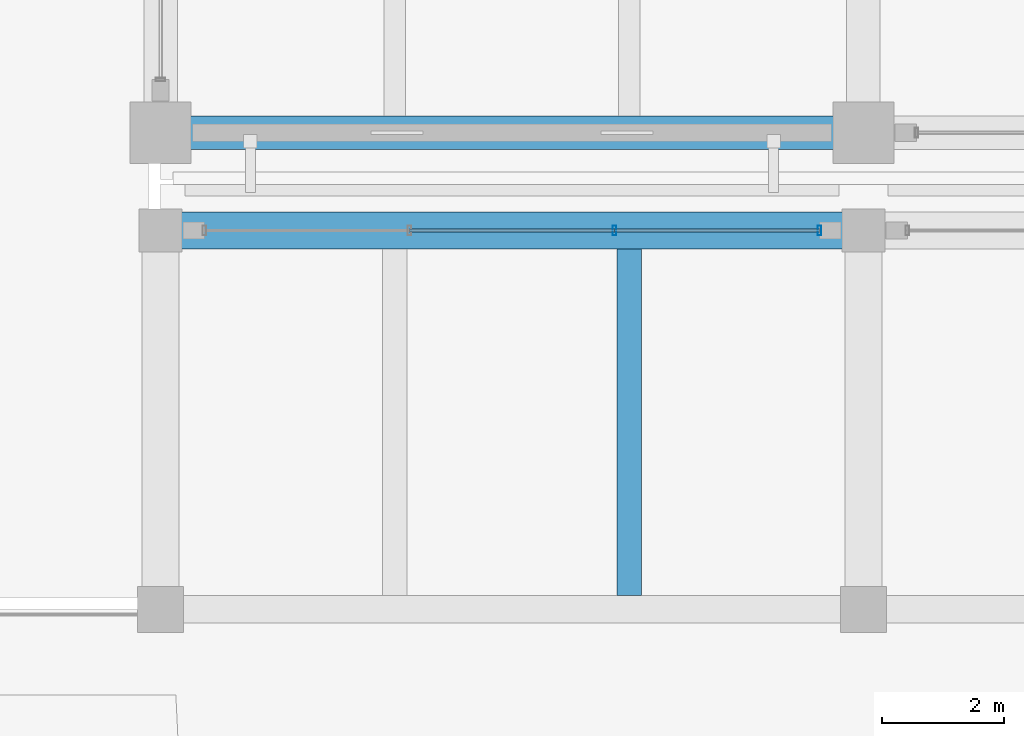
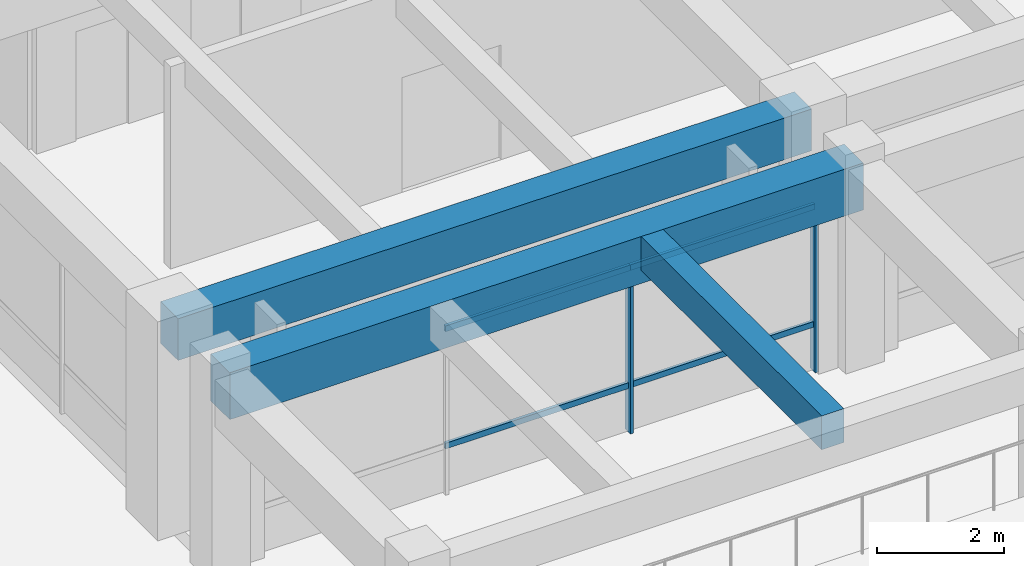
# One storey, part 41 of 109: 6 members, 3 beams, 1 element without a shape of its own.
"""IFC4 building model written with IfcOpenShell, lengths in metres."""

import ifcopenshell
import ifcopenshell.guid

model = None  # the IFC model being written
_history = None  # IfcOwnerHistory: only IFC2X3 demands one
_inside = {}  # id of a spatial element -> (the spatial element, [elements in it])
_under = {}  # id of a project, library or spatial element -> (it, [spatial elements below it])
_declared = {}  # id of a project -> (the project, [libraries it declares])
_typed = {}  # id of a type object -> (the type object, [elements of that type])
_made_of = {}  # id of a material, layer set ... -> (it, [elements and type objects made of it])


def new_model(schema):
    """Start an empty IFC model of exactly this schema.

    Asked for "IFC4X3", IfcOpenShell would pick the latest addendum, in which some entities
    have other attributes; the version numbers below select the first issue.
    IFC2X3 requires an IfcOwnerHistory on every rooted entity: one is made here for all.
    """
    global model, _history
    if schema == "IFC4X3":
        model = ifcopenshell.file(schema_version=(4, 3, 0, 0))
    else:
        model = ifcopenshell.file(schema=schema)
    _inside.clear()
    _under.clear()
    _declared.clear()
    _typed.clear()
    _made_of.clear()
    _history = None
    if model.schema == "IFC2X3":
        org = make("IfcOrganization", Name="unknown")
        user = make(
            "IfcPersonAndOrganization",
            ThePerson=make("IfcPerson", FamilyName="unknown"),
            TheOrganization=org,
        )
        app = make(
            "IfcApplication",
            ApplicationDeveloper=org,
            Version="unknown",
            ApplicationFullName="unknown",
            ApplicationIdentifier="unknown",
        )
        _history = make(
            "IfcOwnerHistory",
            OwningUser=user,
            OwningApplication=app,
            ChangeAction="ADDED",
            CreationDate=0,
        )
    return model


def make(cls, **values):
    """One entity of the class cls with the attributes given. An attribute that is None is left unset."""
    return model.create_entity(
        cls, **{name: value for name, value in values.items() if value is not None}
    )


def rooted(cls, **values):
    """An entity with a GlobalId (a new one), such as an element, a storey or a relation."""
    return make(cls, GlobalId=ifcopenshell.guid.new(), OwnerHistory=_history, **values)


def si_unit(unit_type, name, prefix=None):
    """IfcSIUnit, for example si_unit("LENGTHUNIT", "METRE", prefix="MILLI")."""
    return make("IfcSIUnit", UnitType=unit_type, Prefix=prefix, Name=name)


def assignment(units):
    """IfcUnitAssignment: the units of a project."""
    return None if units is None else make("IfcUnitAssignment", Units=units)


def point(xyz):
    """IfcCartesianPoint."""
    return None if xyz is None else make("IfcCartesianPoint", Coordinates=xyz)


def direction(xyz):
    """IfcDirection."""
    return None if xyz is None else make("IfcDirection", DirectionRatios=xyz)


def frame(location, z_axis=None, x_axis=None):
    """IfcAxis2Placement3D, a coordinate frame: its origin and axes. An axis left out is left unset."""
    return make(
        "IfcAxis2Placement3D",
        Location=point(location),
        Axis=direction(z_axis),
        RefDirection=direction(x_axis),
    )


def frame_2d(location, x_axis=None):
    """IfcAxis2Placement2D, a coordinate frame in the plane: its origin and x axis."""
    return make(
        "IfcAxis2Placement2D", Location=point(location), RefDirection=direction(x_axis)
    )


def origin():
    """The frame at (0, 0, 0) with its axes left unset."""
    return frame((0.0, 0.0, 0.0))


def origin_2d():
    """The frame at (0, 0) in the plane with its x axis left unset."""
    return frame_2d((0.0, 0.0))


def place(relative_to, where):
    """IfcLocalPlacement: puts the frame where relative to a parent placement (None: the world)."""
    return make(
        "IfcLocalPlacement", PlacementRelTo=relative_to, RelativePlacement=where
    )


def context(
    kind, dimensions, precision=None, world=None, true_north=None, identifier=None
):
    """IfcGeometricRepresentationContext, for example the 3D "Model" context."""
    return make(
        "IfcGeometricRepresentationContext",
        ContextIdentifier=identifier,
        ContextType=kind,
        CoordinateSpaceDimension=dimensions,
        Precision=precision,
        WorldCoordinateSystem=world,
        TrueNorth=true_north,
    )


def subcontext(parent, identifier, kind, view, scale=None):
    """IfcGeometricRepresentationSubContext, for example "Body" below "Model"."""
    return make(
        "IfcGeometricRepresentationSubContext",
        ContextIdentifier=identifier,
        ContextType=kind,
        ParentContext=parent,
        TargetScale=scale,
        TargetView=view,
    )


def project(units=None, contexts=None):
    """IfcProject with its units and contexts."""
    return rooted(
        "IfcProject",
        Name="project",
        RepresentationContexts=contexts,
        UnitsInContext=assignment(units),
    )


def spatial(cls, under=None, at=None, **own):
    """A site, building, storey or space (cls), placed at a placement, below another one or the project."""
    s = rooted(cls, ObjectPlacement=at, **own)
    if under is not None:
        _under.setdefault(under.id(), (under, []))[1].append(s)
    return s


def profile(cls, at=None, kind="AREA", **sizes):
    """A parametric profile (cls). Its sizes go by their IFC names, for example OverallWidth=200.0."""
    return make(cls, ProfileType=kind, Position=at, **sizes)


def rectangle(**sizes):
    """IfcRectangleProfileDef."""
    return profile("IfcRectangleProfileDef", **sizes)


def hollow_rectangle(**sizes):
    """IfcRectangleHollowProfileDef."""
    return profile("IfcRectangleHollowProfileDef", **sizes)


def extrude(swept, where, along, depth):
    """IfcExtrudedAreaSolid: the profile swept, set in the frame where, extruded along a direction by depth."""
    return make(
        "IfcExtrudedAreaSolid",
        SweptArea=swept,
        Position=where,
        ExtrudedDirection=direction(along),
        Depth=depth,
    )


def shape(context_of_items, identifier, shape_type, items):
    """IfcShapeRepresentation: the items that make up one representation, for example the "Body"."""
    return make(
        "IfcShapeRepresentation",
        ContextOfItems=context_of_items,
        RepresentationIdentifier=identifier,
        RepresentationType=shape_type,
        Items=items,
    )


def material(Name=None, Category=None):
    """IfcMaterial."""
    return make("IfcMaterial", Name=Name, Category=Category)


def material_profile(
    of_material, cross_section, Name=None, Category=None, Priority=None
):
    """IfcMaterialProfile: a cross section and its material."""
    return make(
        "IfcMaterialProfile",
        Name=Name,
        Material=of_material,
        Profile=cross_section,
        Priority=Priority,
        Category=Category,
    )


def profile_set(profiles, Name=None, composite=None):
    """IfcMaterialProfileSet."""
    return make(
        "IfcMaterialProfileSet",
        Name=Name,
        MaterialProfiles=profiles,
        CompositeProfile=composite,
    )


def made_of(thing, what):
    """Note that an element or type object is made of a material, layer set ...; save() writes the relation."""
    if what is not None:
        _made_of.setdefault(what.id(), (what, []))[1].append(thing)
    return thing


def type_object(cls, material=None, **own):
    """A type object (cls), such as IfcWallType, which elements share."""
    return made_of(rooted(cls, **own), material)


def element(
    cls,
    number,
    at=None,
    inside=None,
    cuts=None,
    type_object=None,
    material=None,
    context=None,
    identifier="Body",
    shape_type=None,
    held_by="IfcProductDefinitionShape",
    body=None,
    shapes=None,
    **own,
):
    """One element of the class cls, such as IfcWall. Its Tag is "e" and its number.

    at: its placement. inside: the storey or other place that contains it. cuts: it is an
    opening in that element (IfcRelVoidsElement). A single representation is given by context,
    identifier, shape_type and body (its items); several are given by shapes. held_by: the class
    of the entity that holds the representations. save() writes the other relations.
    """
    e = rooted(cls, Tag="e%d" % number, ObjectPlacement=at, **own)
    if body is not None:
        shapes = [shape(context, identifier, shape_type, body)]
    if shapes is not None:
        e.Representation = make(held_by, Representations=shapes)
    if inside is not None:
        _inside.setdefault(inside.id(), (inside, []))[1].append(e)
    if cuts is not None:
        rooted(
            "IfcRelVoidsElement", RelatingBuildingElement=cuts, RelatedOpeningElement=e
        )
    if type_object is not None:
        _typed.setdefault(type_object.id(), (type_object, []))[1].append(e)
    return made_of(e, material)


def aggregate(whole, parts):
    """IfcRelAggregates: a whole, such as a stair, and the parts it consists of."""
    return rooted("IfcRelAggregates", RelatingObject=whole, RelatedObjects=parts)


def save(model, path):
    """Write the relations noted so far, then the file.

    IfcRelAggregates (storeys below a building ...), IfcRelContainedInSpatialStructure (elements
    in a storey), IfcRelDefinesByType, IfcRelAssociatesMaterial and IfcRelDeclares: one each for
    every whole, place, type object, material and project.
    """
    for whole, parts in _under.values():
        aggregate(whole, parts)
    for where, things in _inside.values():
        rooted(
            "IfcRelContainedInSpatialStructure",
            RelatedElements=things,
            RelatingStructure=where,
        )
    for kind, things in _typed.values():
        rooted("IfcRelDefinesByType", RelatedObjects=things, RelatingType=kind)
    for what, things in _made_of.values():
        rooted("IfcRelAssociatesMaterial", RelatedObjects=things, RelatingMaterial=what)
    for by, libraries in _declared.values():
        rooted("IfcRelDeclares", RelatingContext=by, RelatedDefinitions=libraries)
    model.write(path)


model = new_model("IFC4")

# Units and contexts
model_context = context("Model", 3, precision=1e-05, world=origin(), true_north=direction((0.0, 1.0)))
body_context = subcontext(model_context, "Body", "Model", "MODEL_VIEW")
ifc_project = project(units=[si_unit("LENGTHUNIT", "METRE"), si_unit("AREAUNIT", "SQUARE_METRE"), si_unit("VOLUMEUNIT", "CUBIC_METRE"), si_unit("PLANEANGLEUNIT", "RADIAN"), si_unit("MASSUNIT", "GRAM", prefix="KILO")], contexts=[model_context])

# Site, building, storey
site_placement = place(None, origin())
site = spatial("IfcSite", under=ifc_project, at=site_placement, CompositionType="ELEMENT")
building_placement = place(site_placement, origin())
building = spatial("IfcBuilding", under=site, at=building_placement, Name="Ologun Quay Terminus", CompositionType="ELEMENT")
storey_placement = place(building_placement, origin())
storey = spatial("IfcBuildingStorey", under=building, at=storey_placement, Name="L00", CompositionType="ELEMENT", Elevation=0.0)

# Curtain wall, members
ifc_material_1 = material(Name="Aluminium 6063-T6", Category="aluminium")
curtain_wall_type = type_object("IfcCurtainWallType", Name="Ticket Hall Grand Portal Curtain Wall 10700x7700", PredefinedType="USERDEFINED", material=ifc_material_1)
curtain_wall_placement = place(storey_placement, origin())
curtain_wall = element("IfcCurtainWall", 1, at=curtain_wall_placement, inside=storey, type_object=curtain_wall_type, Name="CW-01 Curtain Wall CW-L00-086", ObjectType="UNITISED CURTAIN WALL", PredefinedType="USERDEFINED")
ifc_material_2 = material(Name="Aluminium 6063-T6", Category="aluminium")
ifc_material_profile_1 = material_profile(ifc_material_2, hollow_rectangle(XDim=0.06005859375, YDim=0.159912109375, WallThickness=0.00390625, at=origin_2d()), Name="ALU 160x60x4")
ifc_profile_set_1 = profile_set([ifc_material_profile_1], Name="Aluminium 6063-T6")
member_type_1 = type_object("IfcMemberType", Name="Courtyard Screen Mullion 160x65", PredefinedType="MULLION", material=ifc_profile_set_1)
member_1_placement = place(storey_placement, frame((122.4267578125, 84.199951171875, 0.0), z_axis=(0.0, 0.0, 1.0), x_axis=(1.0, 0.0, 0.0)))
member_1 = element("IfcMember", 2, at=member_1_placement, type_object=member_type_1, Name="CW-L00-086 Mullion 3", PredefinedType="MULLION", context=body_context, shape_type="SweptSolid", body=[
    extrude(hollow_rectangle(XDim=0.06005859375, YDim=0.159912109375, WallThickness=0.00390625, at=origin_2d()), origin(), (0.0, 0.0, 1.0), 3.85009765625),
])
member_2_placement = place(storey_placement, frame((125.780029296875, 84.199951171875, 0.0), z_axis=(0.0, 0.0, 1.0), x_axis=(1.0, 0.0, 0.0)))
member_2 = element("IfcMember", 3, at=member_2_placement, type_object=member_type_1, Name="CW-L00-086 Mullion 4", PredefinedType="MULLION", context=body_context, shape_type="SweptSolid", body=[
    extrude(hollow_rectangle(XDim=0.06005859375, YDim=0.159912109375, WallThickness=0.00390625, at=origin_2d()), origin(), (0.0, 0.0, 1.0), 3.85009765625),
])
ifc_material_3 = material(Name="Aluminium 6063-T6", Category="aluminium")
ifc_material_profile_2 = material_profile(ifc_material_3, hollow_rectangle(XDim=0.054931640625, YDim=0.110107421875, WallThickness=0.00390625, at=origin_2d()), Name="ALU 110x55x4")
ifc_profile_set_2 = profile_set([ifc_material_profile_2], Name="Aluminium 6063-T6")
member_type_2 = type_object("IfcMemberType", Name="Courtyard Screen Transom 110x55", PredefinedType="USERDEFINED", material=ifc_profile_set_2)
member_3_placement = place(storey_placement, frame((119.0732421875, 84.199951171875, 0.89990234375), z_axis=(1.0, 0.0, 0.0), x_axis=(0.0, 1.0, 0.0)))
member_3 = element("IfcMember", 4, at=member_3_placement, type_object=member_type_2, Name="CW-L00-086 Transom B2-1", ObjectType="TRANSOM", PredefinedType="USERDEFINED", context=body_context, shape_type="SweptSolid", body=[
    extrude(hollow_rectangle(XDim=0.054931640625, YDim=0.110107421875, WallThickness=0.00390625, at=origin_2d()), origin(), (0.0, 0.0, 1.0), 3.353515625),
])
member_4_placement = place(storey_placement, frame((119.0732421875, 84.199951171875, 3.14990234375), z_axis=(1.0, 0.0, 0.0), x_axis=(0.0, 1.0, 0.0)))
member_4 = element("IfcMember", 5, at=member_4_placement, type_object=member_type_2, Name="CW-L00-086 Transom B2-2", ObjectType="TRANSOM", PredefinedType="USERDEFINED", context=body_context, shape_type="SweptSolid", body=[
    extrude(hollow_rectangle(XDim=0.054931640625, YDim=0.110107421875, WallThickness=0.00390625, at=origin_2d()), origin(), (0.0, 0.0, 1.0), 3.353515625),
])
member_5_placement = place(storey_placement, frame((122.4267578125, 84.199951171875, 0.89990234375), z_axis=(1.0, 0.0, 0.0), x_axis=(0.0, 1.0, 0.0)))
member_5 = element("IfcMember", 6, at=member_5_placement, type_object=member_type_2, Name="CW-L00-086 Transom B3-1", ObjectType="TRANSOM", PredefinedType="USERDEFINED", context=body_context, shape_type="SweptSolid", body=[
    extrude(hollow_rectangle(XDim=0.054931640625, YDim=0.110107421875, WallThickness=0.00390625, at=origin_2d()), origin(), (0.0, 0.0, 1.0), 3.353271484375),
])
member_6_placement = place(storey_placement, frame((122.4267578125, 84.199951171875, 3.14990234375), z_axis=(1.0, 0.0, 0.0), x_axis=(0.0, 1.0, 0.0)))
member_6 = element("IfcMember", 7, at=member_6_placement, type_object=member_type_2, Name="CW-L00-086 Transom B3-2", ObjectType="TRANSOM", PredefinedType="USERDEFINED", context=body_context, shape_type="SweptSolid", body=[
    extrude(hollow_rectangle(XDim=0.054931640625, YDim=0.110107421875, WallThickness=0.00390625, at=origin_2d()), origin(), (0.0, 0.0, 1.0), 3.353271484375),
])
aggregate(curtain_wall, [member_1, member_2, member_3, member_4, member_5, member_6])

# Beams
ifc_material_4 = material(Name="Concrete C40/50", Category="concrete")
ifc_material_profile_3 = material_profile(ifc_material_4, rectangle(XDim=0.550048828125, YDim=0.800048828125, at=origin_2d()), Name="RC 550x800")
ifc_profile_set_3 = profile_set([ifc_material_profile_3], Name="Concrete C40/50")
beam_type_1 = type_object("IfcBeamType", Name="Courtyard Wing Primary Girder 550x800", PredefinedType="BEAM", material=ifc_profile_set_3)
beam_1_placement = place(storey_placement, frame((115.0, 85.800048828125, 3.550048828125), z_axis=(1.0, 0.0, 0.0), x_axis=(0.0, 1.0, 0.0)))
element("IfcBeam", 8, at=beam_1_placement, inside=storey, type_object=beam_type_1, Name="B4 Beam 11/G2 L00", PredefinedType="BEAM", context=body_context, shape_type="SweptSolid", body=[
    extrude(rectangle(XDim=0.550048828125, YDim=0.800048828125, at=origin_2d()), origin(), (0.0, 0.0, 1.0), 11.5),
])
ifc_material_5 = material(Name="Concrete C40/50", Category="concrete")
ifc_material_profile_4 = material_profile(ifc_material_5, rectangle(XDim=0.60009765625, YDim=0.89990234375, at=origin_2d()), Name="RC 600x900")
ifc_profile_set_4 = profile_set([ifc_material_profile_4], Name="Concrete C40/50")
beam_type_2 = type_object("IfcBeamType", Name="Station Frame Girder 600x900", PredefinedType="BEAM", material=ifc_profile_set_4)
beam_2_placement = place(storey_placement, frame((115.0, 84.199951171875, 3.449951171875), z_axis=(1.0, 0.0, 0.0), x_axis=(0.0, 1.0, 0.0)))
element("IfcBeam", 9, at=beam_2_placement, inside=storey, type_object=beam_type_2, Name="B3 Beam 11/G1 L00", PredefinedType="BEAM", context=body_context, shape_type="SweptSolid", body=[
    extrude(rectangle(XDim=0.60009765625, YDim=0.89990234375, at=origin_2d()), origin(), (0.0, 0.0, 1.0), 11.5),
])
ifc_material_6 = material(Name="Concrete C40/50", Category="concrete")
ifc_material_profile_5 = material_profile(ifc_material_6, rectangle(XDim=0.39990234375, YDim=0.64990234375, at=origin_2d()), Name="RC 400x650")
ifc_profile_set_5 = profile_set([ifc_material_profile_5], Name="Concrete C40/50")
beam_type_3 = type_object("IfcBeamType", Name="Station Secondary Joist 400x650", PredefinedType="JOIST", material=ifc_profile_set_5)
beam_3_placement = place(storey_placement, frame((122.666748046875, 78.22509765625, 3.574951171875), z_axis=(0.0, 1.0, 0.0), x_axis=(-1.0, 0.0, 0.0)))
element("IfcBeam", 10, at=beam_3_placement, inside=storey, type_object=beam_type_3, Name="J1 Beam 11/F L00", PredefinedType="JOIST", context=body_context, shape_type="SweptSolid", body=[
    extrude(rectangle(XDim=0.39990234375, YDim=0.64990234375, at=origin_2d()), origin(), (0.0, 0.0, 1.0), 5.6748046875),
])

save(model, "model.ifc")
